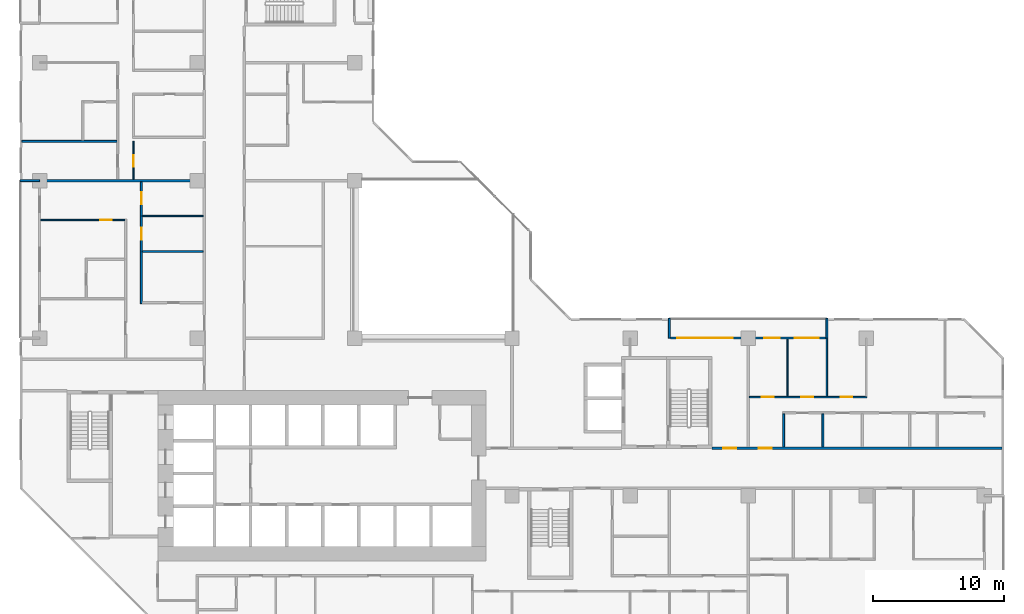
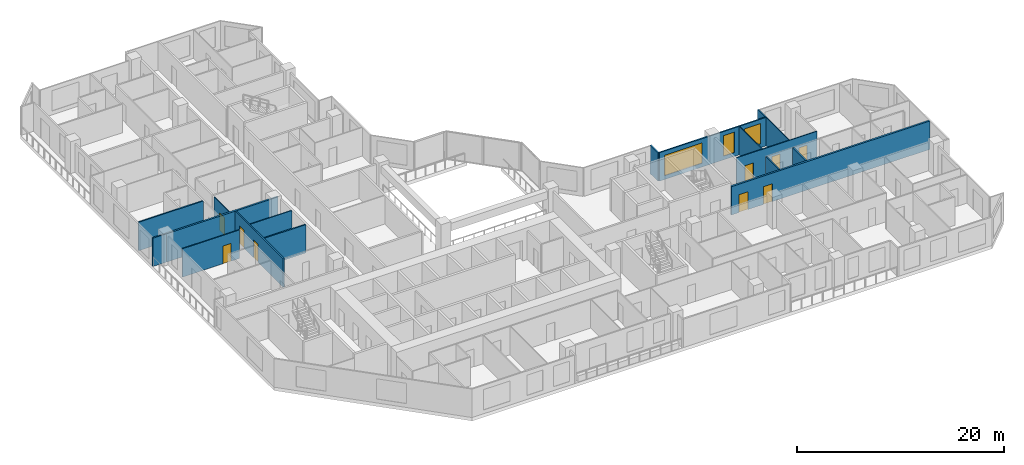
# One storey, part 8 of 15: 17 walls, 9 doors, 3 windows, 12 openings.
"""IFC4 building model written with IfcOpenShell, lengths in metres."""

from ifc_helpers import new_model, si_unit, direction, frame, frame_2d, origin, place, context, subcontext, project, spatial, rectangle, extrude, material, layer, layer_set, type_object, element, fill, save


model = new_model("IFC4")

# Units and contexts
model_context = context("Model", 3, precision=1e-05, world=origin(), true_north=direction((0.0, 1.0)))
body_context = subcontext(model_context, "Body", "Model", "MODEL_VIEW")
ifc_project = project(units=[si_unit("LENGTHUNIT", "METRE"), si_unit("AREAUNIT", "SQUARE_METRE"), si_unit("VOLUMEUNIT", "CUBIC_METRE"), si_unit("PLANEANGLEUNIT", "RADIAN"), si_unit("MASSUNIT", "GRAM", prefix="KILO")], contexts=[model_context])

# Site, building, storey
site_placement = place(None, origin())
site = spatial("IfcSite", under=ifc_project, at=site_placement, CompositionType="ELEMENT")
building_placement = place(site_placement, origin())
building = spatial("IfcBuilding", under=site, at=building_placement, Name="Chenar Terraces", CompositionType="ELEMENT")
storey_placement = place(building_placement, frame((0.0, 0.0, 52.64990234375)))
storey = spatial("IfcBuildingStorey", under=building, at=storey_placement, Name="L10", CompositionType="ELEMENT", Elevation=52.64990234375)

# Wall, openings, doors
ifc_material_1 = material(Name="Gypsum board on steel studs with fire boards", Category="steel")
ifc_layer_1 = layer(ifc_material_1, 0.199951171875)
ifc_layer_set_1 = layer_set([ifc_layer_1], Name="Gypsum board on steel studs with fire boards")
wall_type_1 = type_object("IfcWallType", Name="Corridor wall 200", PredefinedType="PARTITIONING", material=ifc_layer_set_1)
wall_1_placement = place(storey_placement, frame((51.22509765625, 15.60009765625, 0.0), z_axis=(0.0, 0.0, 1.0), x_axis=(1.0, 0.0, 0.0)))
wall_1 = element("IfcWall", 1, at=wall_1_placement, inside=storey, type_object=wall_type_1, Name="Partition L10-081", PredefinedType="PARTITIONING", context=body_context, shape_type="SweptSolid", body=[
    extrude(rectangle(XDim=22.125, YDim=0.199951171875, at=frame_2d((11.0625, 0.0))), origin(), (0.0, 0.0, 1.0), 3.35009765625),
])
opening_1_placement = place(wall_1_placement, frame((3.574951171875, 0.0, 0.0)))
opening_1 = element("IfcOpeningElement", 2, at=opening_1_placement, cuts=wall_1, Name="Opening DL10-11", PredefinedType="OPENING", context=body_context, shape_type="SweptSolid", body=[
    extrude(rectangle(XDim=1.0, YDim=2.10009765625, at=frame_2d((0.5, 1.050048828125))), frame((0.0, 0.10986328125, 0.0), z_axis=(0.0, -1.0, 0.0), x_axis=(1.0, 0.0, 0.0)), (0.0, 0.0, 1.0), 0.219970703125),
])
opening_2_placement = place(wall_1_placement, frame((0.875, 0.0, 0.0)))
opening_2 = element("IfcOpeningElement", 3, at=opening_2_placement, cuts=wall_1, Name="Opening DL10-49", PredefinedType="OPENING", context=body_context, shape_type="SweptSolid", body=[
    extrude(rectangle(XDim=1.0, YDim=2.10009765625, at=frame_2d((0.5, 1.050048828125))), frame((0.0, 0.10986328125, 0.0), z_axis=(0.0, -1.0, 0.0), x_axis=(1.0, 0.0, 0.0)), (0.0, 0.0, 1.0), 0.219970703125),
])
ifc_material_2 = material(Name="Steel-framed fire-resisting door leaf", Category="steel")
door_type_1 = type_object("IfcDoorType", Name="Fire door FD30S 1000 x 2100", OperationType="SINGLE_SWING_LEFT", PredefinedType="DOOR", material=ifc_material_2)
door_1_placement = place(opening_1_placement, origin())
door_1 = element("IfcDoor", 4, at=door_1_placement, inside=storey, type_object=door_type_1, Name="Door DL10-11", OperationType="SINGLE_SWING_LEFT", OverallHeight=2.10009765625, OverallWidth=1.0, PredefinedType="DOOR", context=body_context, shape_type="SweptSolid", body=[
    extrude(rectangle(XDim=1.0, YDim=2.10009765625, at=frame_2d((0.5, 1.050048828125))), frame((0.0, 0.02490234375, 0.0), z_axis=(0.0, -1.0, 0.0), x_axis=(1.0, 0.0, 0.0)), (0.0, 0.0, 1.0), 0.050048828125),
])
fill(opening_1, door_1)
door_2_placement = place(opening_2_placement, origin())
door_2 = element("IfcDoor", 5, at=door_2_placement, inside=storey, type_object=door_type_1, Name="Door DL10-49", OperationType="SINGLE_SWING_RIGHT", OverallHeight=2.10009765625, OverallWidth=1.0, PredefinedType="DOOR", context=body_context, shape_type="SweptSolid", body=[
    extrude(rectangle(XDim=1.0, YDim=2.10009765625, at=frame_2d((0.5, 1.050048828125))), frame((0.0, 0.02490234375, 0.0), z_axis=(0.0, -1.0, 0.0), x_axis=(1.0, 0.0, 0.0)), (0.0, 0.0, 1.0), 0.050048828125),
])
fill(opening_2, door_2)

# Wall, openings, windows
ifc_material_3 = material(Name="Aluminium framed glazing", Category="aluminium")
ifc_layer_2 = layer(ifc_material_3, 0.14990234375)
ifc_layer_set_2 = layer_set([ifc_layer_2], Name="Aluminium framed glazing")
wall_type_2 = type_object("IfcWallType", Name="Glazed loggia back wall 150", PredefinedType="SOLIDWALL", material=ifc_layer_set_2)
wall_2_placement = place(storey_placement, frame((59.925048828125, 24.0, 0.0), z_axis=(0.0, 0.0, 1.0), x_axis=(-1.0, 0.0, 0.0)))
wall_2 = element("IfcWall", 6, at=wall_2_placement, inside=storey, type_object=wall_type_2, Name="Glazed loggia back wall", PredefinedType="SOLIDWALL", context=body_context, shape_type="SweptSolid", body=[
    extrude(rectangle(XDim=11.85009765625, YDim=0.14990234375, at=frame_2d((5.925048828125, 0.0))), origin(), (0.0, 0.0, 1.0), 3.35009765625),
])
opening_3_placement = place(wall_2_placement, frame((0.5625, 0.0, 0.449951171875)))
opening_3 = element("IfcOpeningElement", 7, at=opening_3_placement, cuts=wall_2, Name="Opening W180x240", PredefinedType="OPENING", context=body_context, shape_type="SweptSolid", body=[
    extrude(rectangle(XDim=1.800048828125, YDim=2.39990234375, at=frame_2d((0.89990234375, 1.199951171875))), frame((0.0, 0.0849609375, 0.0), z_axis=(0.0, -1.0, 0.0), x_axis=(1.0, 0.0, 0.0)), (0.0, 0.0, 1.0), 0.169921875),
])
opening_4_placement = place(wall_2_placement, frame((3.5, 0.0, 0.449951171875)))
opening_4 = element("IfcOpeningElement", 8, at=opening_4_placement, cuts=wall_2, Name="Opening W120x240", PredefinedType="OPENING", context=body_context, shape_type="SweptSolid", body=[
    extrude(rectangle(XDim=1.199951171875, YDim=2.39990234375, at=frame_2d((0.60009765625, 1.199951171875))), frame((0.0, 0.0849609375, 0.0), z_axis=(0.0, -1.0, 0.0), x_axis=(1.0, 0.0, 0.0)), (0.0, 0.0, 1.0), 0.169921875),
])
opening_5_placement = place(wall_2_placement, frame((7.112548828125, 0.0, 0.449951171875)))
opening_5 = element("IfcOpeningElement", 9, at=opening_5_placement, cuts=wall_2, Name="Opening W420x240", PredefinedType="OPENING", context=body_context, shape_type="SweptSolid", body=[
    extrude(rectangle(XDim=4.199951171875, YDim=2.39990234375, at=frame_2d((2.10009765625, 1.199951171875))), frame((0.0, 0.0849609375, 0.0), z_axis=(0.0, -1.0, 0.0), x_axis=(1.0, 0.0, 0.0)), (0.0, 0.0, 1.0), 0.169921875),
])
ifc_material_4 = material(Name="Low emissivity double glazing, aluminium frame", Category="aluminium")
window_type_1 = type_object("IfcWindowType", Name="Fixed light 1200 x 2400", PartitioningType="SINGLE_PANEL", PredefinedType="WINDOW", material=ifc_material_4)
window_1_placement = place(opening_4_placement, origin())
window_1 = element("IfcWindow", 10, at=window_1_placement, inside=storey, type_object=window_type_1, Name="Window", OverallHeight=2.39990234375, OverallWidth=1.199951171875, PartitioningType="SINGLE_PANEL", PredefinedType="WINDOW", context=body_context, shape_type="SweptSolid", body=[
    extrude(rectangle(XDim=1.199951171875, YDim=2.39990234375, at=frame_2d((0.60009765625, 1.199951171875))), frame((0.0, 0.030029296875, 0.0), z_axis=(0.0, -1.0, 0.0), x_axis=(1.0, 0.0, 0.0)), (0.0, 0.0, 1.0), 0.06005859375),
])
fill(opening_4, window_1)
ifc_material_5 = material(Name="Low emissivity double glazing, aluminium frame", Category="aluminium")
window_type_2 = type_object("IfcWindowType", Name="Fixed light 1800 x 2400", PartitioningType="SINGLE_PANEL", PredefinedType="WINDOW", material=ifc_material_5)
window_2_placement = place(opening_3_placement, origin())
window_2 = element("IfcWindow", 11, at=window_2_placement, inside=storey, type_object=window_type_2, Name="Window", OverallHeight=2.39990234375, OverallWidth=1.800048828125, PartitioningType="SINGLE_PANEL", PredefinedType="WINDOW", context=body_context, shape_type="SweptSolid", body=[
    extrude(rectangle(XDim=1.800048828125, YDim=2.39990234375, at=frame_2d((0.89990234375, 1.199951171875))), frame((0.0, 0.030029296875, 0.0), z_axis=(0.0, -1.0, 0.0), x_axis=(1.0, 0.0, 0.0)), (0.0, 0.0, 1.0), 0.06005859375),
])
fill(opening_3, window_2)
ifc_material_6 = material(Name="Low emissivity double glazing, aluminium frame", Category="aluminium")
window_type_3 = type_object("IfcWindowType", Name="Fixed light 4200 x 2400", PartitioningType="SINGLE_PANEL", PredefinedType="WINDOW", material=ifc_material_6)
window_3_placement = place(opening_5_placement, origin())
window_3 = element("IfcWindow", 12, at=window_3_placement, inside=storey, type_object=window_type_3, Name="Window", OverallHeight=2.39990234375, OverallWidth=4.199951171875, PartitioningType="SINGLE_PANEL", PredefinedType="WINDOW", context=body_context, shape_type="SweptSolid", body=[
    extrude(rectangle(XDim=4.199951171875, YDim=2.39990234375, at=frame_2d((2.10009765625, 1.199951171875))), frame((0.0, 0.030029296875, 0.0), z_axis=(0.0, -1.0, 0.0), x_axis=(1.0, 0.0, 0.0)), (0.0, 0.0, 1.0), 0.06005859375),
])
fill(opening_5, window_3)

# Wall, opening, door
ifc_material_7 = material(Name="Gypsum board on steel studs", Category="steel")
ifc_layer_3 = layer(ifc_material_7, 0.10009765625)
ifc_layer_set_3 = layer_set([ifc_layer_3], Name="Gypsum board on steel studs")
wall_type_3 = type_object("IfcWallType", Name="Gypsum partition 100", PredefinedType="PARTITIONING", material=ifc_layer_set_3)
wall_3_placement = place(storey_placement, frame((0.073974609375, 33.0, 0.0), z_axis=(0.0, 0.0, 1.0), x_axis=(1.0, 0.0, 0.0)))
wall_3 = element("IfcWall", 13, at=wall_3_placement, inside=storey, type_object=wall_type_3, Name="Partition L10-008", PredefinedType="PARTITIONING", context=body_context, shape_type="SweptSolid", body=[
    extrude(rectangle(XDim=6.401123046875, YDim=0.10009765625, at=frame_2d((3.20068359375, 0.0))), origin(), (0.0, 0.0, 1.0), 3.35009765625),
])
opening_6_placement = place(wall_3_placement, frame((4.52587890625, 0.0, 0.0)))
opening_6 = element("IfcOpeningElement", 14, at=opening_6_placement, cuts=wall_3, Name="Opening DL10-69", PredefinedType="OPENING", context=body_context, shape_type="SweptSolid", body=[
    extrude(rectangle(XDim=0.89990234375, YDim=2.10009765625, at=frame_2d((0.449951171875, 1.050048828125))), frame((0.0, 0.06005859375, 0.0), z_axis=(0.0, -1.0, 0.0), x_axis=(1.0, 0.0, 0.0)), (0.0, 0.0, 1.0), 0.1201171875),
])
ifc_material_8 = material(Name="Veneered timber door leaf", Category="wood")
door_type_2 = type_object("IfcDoorType", Name="Door 900 x 2100", OperationType="SINGLE_SWING_LEFT", PredefinedType="DOOR", material=ifc_material_8)
door_3_placement = place(opening_6_placement, frame((0.89990234375, 0.0, 0.0), z_axis=(0.0, 0.0, 1.0), x_axis=(-1.0, 0.0, 0.0)))
door_3 = element("IfcDoor", 15, at=door_3_placement, inside=storey, type_object=door_type_2, Name="Door DL10-69", OperationType="SINGLE_SWING_LEFT", OverallHeight=2.10009765625, OverallWidth=0.89990234375, PredefinedType="DOOR", context=body_context, shape_type="SweptSolid", body=[
    extrude(rectangle(XDim=0.89990234375, YDim=2.10009765625, at=frame_2d((0.449951171875, 1.050048828125))), frame((0.0, 0.02490234375, 0.0), z_axis=(0.0, -1.0, 0.0), x_axis=(1.0, 0.0, 0.0)), (0.0, 0.0, 1.0), 0.050048828125),
])
fill(opening_6, door_3)

wall_4_placement = place(storey_placement, frame((7.14990234375, 36.10009765625, 0.0), z_axis=(0.0, 0.0, 1.0), x_axis=(0.0, 1.0, 0.0)))
wall_4 = element("IfcWall", 16, at=wall_4_placement, inside=storey, type_object=wall_type_3, Name="Partition L10-023", PredefinedType="PARTITIONING", context=body_context, shape_type="SweptSolid", body=[
    extrude(rectangle(XDim=2.89990234375, YDim=0.10009765625, at=frame_2d((1.449951171875, 0.0))), origin(), (0.0, 0.0, 1.0), 3.35009765625),
])
opening_7_placement = place(wall_4_placement, frame((0.949951171875, 0.0, 0.0)))
opening_7 = element("IfcOpeningElement", 17, at=opening_7_placement, cuts=wall_4, Name="Opening DL10-40", PredefinedType="OPENING", context=body_context, shape_type="SweptSolid", body=[
    extrude(rectangle(XDim=0.89990234375, YDim=2.10009765625, at=frame_2d((0.449951171875, 1.050048828125))), frame((0.0, 0.06005859375, 0.0), z_axis=(0.0, -1.0, 0.0), x_axis=(1.0, 0.0, 0.0)), (0.0, 0.0, 1.0), 0.1201171875),
])
door_4_placement = place(opening_7_placement, frame((0.89990234375, 0.0, 0.0), z_axis=(0.0, 0.0, 1.0), x_axis=(-1.0, 0.0, 0.0)))
door_4 = element("IfcDoor", 18, at=door_4_placement, inside=storey, type_object=door_type_2, Name="Door DL10-40", OperationType="SINGLE_SWING_RIGHT", OverallHeight=2.10009765625, OverallWidth=0.89990234375, PredefinedType="DOOR", context=body_context, shape_type="SweptSolid", body=[
    extrude(rectangle(XDim=0.89990234375, YDim=2.10009765625, at=frame_2d((0.449951171875, 1.050048828125))), frame((0.0, 0.02490234375, 0.0), z_axis=(0.0, -1.0, 0.0), x_axis=(1.0, 0.0, 0.0)), (0.0, 0.0, 1.0), 0.050048828125),
])
fill(opening_7, door_4)

# Wall
wall_5_placement = place(storey_placement, frame((7.824951171875, 33.300048828125, 0.0), z_axis=(0.0, 0.0, 1.0), x_axis=(1.0, 0.0, 0.0)))
element("IfcWall", 19, at=wall_5_placement, inside=storey, type_object=wall_type_3, Name="Partition L10-032", PredefinedType="PARTITIONING", context=body_context, shape_type="SweptSolid", body=[
    extrude(rectangle(XDim=4.625, YDim=0.10009765625, at=frame_2d((2.3125, 0.0))), origin(), (0.0, 0.0, 1.0), 3.35009765625),
])

# Wall, openings, doors
wall_6_placement = place(storey_placement, frame((54.10009765625, 19.5, 0.0), z_axis=(0.0, 0.0, 1.0), x_axis=(1.0, 0.0, 0.0)))
wall_6 = element("IfcWall", 20, at=wall_6_placement, inside=storey, type_object=wall_type_3, Name="Partition L10-087", PredefinedType="PARTITIONING", context=body_context, shape_type="SweptSolid", body=[
    extrude(rectangle(XDim=8.949951171875, YDim=0.10009765625, at=frame_2d((4.47509765625, 0.0))), origin(), (0.0, 0.0, 1.0), 3.35009765625),
])
opening_8_placement = place(wall_6_placement, frame((0.949951171875, 0.0, 0.0)))
opening_8 = element("IfcOpeningElement", 21, at=opening_8_placement, cuts=wall_6, Name="Opening DL10-5", PredefinedType="OPENING", context=body_context, shape_type="SweptSolid", body=[
    extrude(rectangle(XDim=0.89990234375, YDim=2.10009765625, at=frame_2d((0.449951171875, 1.050048828125))), frame((0.0, 0.06005859375, 0.0), z_axis=(0.0, -1.0, 0.0), x_axis=(1.0, 0.0, 0.0)), (0.0, 0.0, 1.0), 0.1201171875),
])
opening_9_placement = place(wall_6_placement, frame((3.949951171875, 0.0, 0.0)))
opening_9 = element("IfcOpeningElement", 22, at=opening_9_placement, cuts=wall_6, Name="Opening DL10-6", PredefinedType="OPENING", context=body_context, shape_type="SweptSolid", body=[
    extrude(rectangle(XDim=0.89990234375, YDim=2.10009765625, at=frame_2d((0.449951171875, 1.050048828125))), frame((0.0, 0.06005859375, 0.0), z_axis=(0.0, -1.0, 0.0), x_axis=(1.0, 0.0, 0.0)), (0.0, 0.0, 1.0), 0.1201171875),
])
opening_10_placement = place(wall_6_placement, frame((6.949951171875, 0.0, 0.0)))
opening_10 = element("IfcOpeningElement", 23, at=opening_10_placement, cuts=wall_6, Name="Opening DL10-7", PredefinedType="OPENING", context=body_context, shape_type="SweptSolid", body=[
    extrude(rectangle(XDim=0.89990234375, YDim=2.10009765625, at=frame_2d((0.449951171875, 1.050048828125))), frame((0.0, 0.06005859375, 0.0), z_axis=(0.0, -1.0, 0.0), x_axis=(1.0, 0.0, 0.0)), (0.0, 0.0, 1.0), 0.1201171875),
])
door_5_placement = place(opening_8_placement, origin())
door_5 = element("IfcDoor", 24, at=door_5_placement, inside=storey, type_object=door_type_2, Name="Door DL10-5", OperationType="SINGLE_SWING_RIGHT", OverallHeight=2.10009765625, OverallWidth=0.89990234375, PredefinedType="DOOR", context=body_context, shape_type="SweptSolid", body=[
    extrude(rectangle(XDim=0.89990234375, YDim=2.10009765625, at=frame_2d((0.449951171875, 1.050048828125))), frame((0.0, 0.02490234375, 0.0), z_axis=(0.0, -1.0, 0.0), x_axis=(1.0, 0.0, 0.0)), (0.0, 0.0, 1.0), 0.050048828125),
])
fill(opening_8, door_5)
door_6_placement = place(opening_9_placement, origin())
door_6 = element("IfcDoor", 25, at=door_6_placement, inside=storey, type_object=door_type_2, Name="Door DL10-6", OperationType="SINGLE_SWING_RIGHT", OverallHeight=2.10009765625, OverallWidth=0.89990234375, PredefinedType="DOOR", context=body_context, shape_type="SweptSolid", body=[
    extrude(rectangle(XDim=0.89990234375, YDim=2.10009765625, at=frame_2d((0.449951171875, 1.050048828125))), frame((0.0, 0.02490234375, 0.0), z_axis=(0.0, -1.0, 0.0), x_axis=(1.0, 0.0, 0.0)), (0.0, 0.0, 1.0), 0.050048828125),
])
fill(opening_9, door_6)
door_7_placement = place(opening_10_placement, origin())
door_7 = element("IfcDoor", 26, at=door_7_placement, inside=storey, type_object=door_type_2, Name="Door DL10-7", OperationType="SINGLE_SWING_RIGHT", OverallHeight=2.10009765625, OverallWidth=0.89990234375, PredefinedType="DOOR", context=body_context, shape_type="SweptSolid", body=[
    extrude(rectangle(XDim=0.89990234375, YDim=2.10009765625, at=frame_2d((0.449951171875, 1.050048828125))), frame((0.0, 0.02490234375, 0.0), z_axis=(0.0, -1.0, 0.0), x_axis=(1.0, 0.0, 0.0)), (0.0, 0.0, 1.0), 0.050048828125),
])
fill(opening_10, door_7)

# Walls
wall_7_placement = place(storey_placement, frame((57.0, 19.550048828125, 0.0), z_axis=(0.0, 0.0, 1.0), x_axis=(0.0, 1.0, 0.0)))
element("IfcWall", 27, at=wall_7_placement, inside=storey, type_object=wall_type_3, Name="Partition L10-091", PredefinedType="PARTITIONING", context=body_context, shape_type="SweptSolid", body=[
    extrude(rectangle(XDim=4.3759765625, YDim=0.10009765625, at=frame_2d((2.18798828125, 0.0))), origin(), (0.0, 0.0, 1.0), 3.35009765625),
])
wall_8_placement = place(storey_placement, frame((60.0, 19.550048828125, 0.0), z_axis=(0.0, 0.0, 1.0), x_axis=(0.0, 1.0, 0.0)))
element("IfcWall", 28, at=wall_8_placement, inside=storey, type_object=wall_type_3, Name="Partition L10-094", PredefinedType="PARTITIONING", context=body_context, shape_type="SweptSolid", body=[
    extrude(rectangle(XDim=4.449951171875, YDim=0.10009765625, at=frame_2d((2.22509765625, 0.0))), origin(), (0.0, 0.0, 1.0), 3.35009765625),
])
ifc_material_9 = material(Name="Terracotta cladding on insulated backing", Category="masonry")
ifc_layer_4 = layer(ifc_material_9, 0.14990234375)
ifc_layer_set_4 = layer_set([ifc_layer_4], Name="Terracotta cladding on insulated backing")
wall_type_4 = type_object("IfcWallType", Name="Loggia return wall 150", PredefinedType="SOLIDWALL", material=ifc_layer_set_4)
for number, where, z_axis, x_axis, name in (
    (29, (60.0, 25.5, 0.0), (0.0, 0.0, 1.0), (0.0, -1.0, 0.0), "Loggia return wall"),
    (30, (48.0, 25.5, 0.0), (0.0, 0.0, 1.0), (0.0, -1.0, 0.0), "Loggia return wall"),
    (31, (-1.5, 36.0, 0.0), (0.0, 0.0, 1.0), (1.0, 0.0, 0.0), "Loggia return wall"),
):
    element("IfcWall", number, at=place(storey_placement, frame(where, z_axis=z_axis, x_axis=x_axis)), inside=storey, type_object=wall_type_4, Name=name, PredefinedType="SOLIDWALL", context=body_context, shape_type="SweptSolid", body=[
        extrude(rectangle(XDim=1.5, YDim=0.14990234375, at=frame_2d((0.75, 0.0))), origin(), (0.0, 0.0, 1.0), 3.35009765625),
    ])
ifc_material_10 = material(Name="Twin gypsum board on steel studs with mineral wool", Category="steel")
ifc_layer_5 = layer(ifc_material_10, 0.199951171875)
ifc_layer_set_5 = layer_set([ifc_layer_5], Name="Twin gypsum board on steel studs with mineral wool")
wall_type_5 = type_object("IfcWallType", Name="Unit demising wall 200", PredefinedType="PARTITIONING", material=ifc_layer_set_5)
wall_9_placement = place(storey_placement, frame((0.0, 36.0, 0.0), z_axis=(0.0, 0.0, 1.0), x_axis=(1.0, 0.0, 0.0)))
element("IfcWall", 32, at=wall_9_placement, inside=storey, type_object=wall_type_5, Name="Partition L10-004", PredefinedType="PARTITIONING", context=body_context, shape_type="SweptSolid", body=[
    extrude(rectangle(XDim=12.449951171875, YDim=0.199951171875, at=frame_2d((6.22509765625, 0.0))), origin(), (0.0, 0.0, 1.0), 3.35009765625),
])
ifc_material_11 = material(Name="Moisture-resistant gypsum board on steel studs", Category="steel")
ifc_layer_6 = layer(ifc_material_11, 0.14990234375)
ifc_layer_set_6 = layer_set([ifc_layer_6], Name="Moisture-resistant gypsum board on steel studs")
wall_type_6 = type_object("IfcWallType", Name="Wet-room partition 150", PredefinedType="PARTITIONING", material=ifc_layer_set_6)
wall_10_placement = place(storey_placement, frame((-1.35107421875, 39.0, 0.0), z_axis=(0.0, 0.0, 1.0), x_axis=(1.0, 0.0, 0.0)))
element("IfcWall", 33, at=wall_10_placement, inside=storey, type_object=wall_type_6, Name="Partition L10-001", PredefinedType="PARTITIONING", context=body_context, shape_type="SweptSolid", body=[
    extrude(rectangle(XDim=7.22607421875, YDim=0.14990234375, at=frame_2d((3.613037109375, 0.0))), origin(), (0.0, 0.0, 1.0), 3.35009765625),
])

# Wall, openings, doors
wall_11_placement = place(storey_placement, frame((7.75, 26.625, 0.0), z_axis=(0.0, 0.0, 1.0), x_axis=(0.0, 1.0, 0.0)))
wall_11 = element("IfcWall", 34, at=wall_11_placement, inside=storey, type_object=wall_type_6, Name="Partition L10-029", PredefinedType="PARTITIONING", context=body_context, shape_type="SweptSolid", body=[
    extrude(rectangle(XDim=9.27490234375, YDim=0.14990234375, at=frame_2d((4.637451171875, 0.0))), origin(), (0.0, 0.0, 1.0), 3.35009765625),
])
opening_11_placement = place(wall_11_placement, frame((4.875, 0.0, 0.0)))
opening_11 = element("IfcOpeningElement", 35, at=opening_11_placement, cuts=wall_11, Name="Opening DL10-71", PredefinedType="OPENING", context=body_context, shape_type="SweptSolid", body=[
    extrude(rectangle(XDim=0.89990234375, YDim=2.10009765625, at=frame_2d((0.449951171875, 1.050048828125))), frame((0.0, 0.0849609375, 0.0), z_axis=(0.0, -1.0, 0.0), x_axis=(1.0, 0.0, 0.0)), (0.0, 0.0, 1.0), 0.169921875),
])
opening_12_placement = place(wall_11_placement, frame((7.574951171875, 0.0, 0.0)))
opening_12 = element("IfcOpeningElement", 36, at=opening_12_placement, cuts=wall_11, Name="Opening DL10-73", PredefinedType="OPENING", context=body_context, shape_type="SweptSolid", body=[
    extrude(rectangle(XDim=0.89990234375, YDim=2.10009765625, at=frame_2d((0.449951171875, 1.050048828125))), frame((0.0, 0.0849609375, 0.0), z_axis=(0.0, -1.0, 0.0), x_axis=(1.0, 0.0, 0.0)), (0.0, 0.0, 1.0), 0.169921875),
])
door_8_placement = place(opening_11_placement, frame((0.89990234375, 0.0, 0.0), z_axis=(0.0, 0.0, 1.0), x_axis=(-1.0, 0.0, 0.0)))
door_8 = element("IfcDoor", 37, at=door_8_placement, inside=storey, type_object=door_type_2, Name="Door DL10-71", OperationType="SINGLE_SWING_RIGHT", OverallHeight=2.10009765625, OverallWidth=0.89990234375, PredefinedType="DOOR", context=body_context, shape_type="SweptSolid", body=[
    extrude(rectangle(XDim=0.89990234375, YDim=2.10009765625, at=frame_2d((0.449951171875, 1.050048828125))), frame((0.0, 0.02490234375, 0.0), z_axis=(0.0, -1.0, 0.0), x_axis=(1.0, 0.0, 0.0)), (0.0, 0.0, 1.0), 0.050048828125),
])
fill(opening_11, door_8)
door_9_placement = place(opening_12_placement, frame((0.89990234375, 0.0, 0.0), z_axis=(0.0, 0.0, 1.0), x_axis=(-1.0, 0.0, 0.0)))
door_9 = element("IfcDoor", 38, at=door_9_placement, inside=storey, type_object=door_type_2, Name="Door DL10-73", OperationType="SINGLE_SWING_LEFT", OverallHeight=2.10009765625, OverallWidth=0.89990234375, PredefinedType="DOOR", context=body_context, shape_type="SweptSolid", body=[
    extrude(rectangle(XDim=0.89990234375, YDim=2.10009765625, at=frame_2d((0.449951171875, 1.050048828125))), frame((0.0, 0.02490234375, 0.0), z_axis=(0.0, -1.0, 0.0), x_axis=(1.0, 0.0, 0.0)), (0.0, 0.0, 1.0), 0.050048828125),
])
fill(opening_12, door_9)

# Walls
wall_12_placement = place(storey_placement, frame((7.824951171875, 30.60009765625, 0.0), z_axis=(0.0, 0.0, 1.0), x_axis=(1.0, 0.0, 0.0)))
element("IfcWall", 39, at=wall_12_placement, inside=storey, type_object=wall_type_6, Name="Partition L10-031", PredefinedType="PARTITIONING", context=body_context, shape_type="SweptSolid", body=[
    extrude(rectangle(XDim=4.625, YDim=0.14990234375, at=frame_2d((2.3125, 0.0))), origin(), (0.0, 0.0, 1.0), 3.35009765625),
])
for number, where, z_axis, x_axis, name in (
    (40, (56.699951171875, 15.699951171875, 0.0), (0.0, 0.0, 1.0), (0.0, 1.0, 0.0), "Partition L10-089"),
    (41, (59.699951171875, 15.699951171875, 0.0), (0.0, 0.0, 1.0), (0.0, 1.0, 0.0), "Partition L10-093"),
):
    element("IfcWall", number, at=place(storey_placement, frame(where, z_axis=z_axis, x_axis=x_axis)), inside=storey, type_object=wall_type_6, Name=name, PredefinedType="PARTITIONING", context=body_context, shape_type="SweptSolid", body=[
        extrude(rectangle(XDim=2.525146484375, YDim=0.14990234375, at=frame_2d((1.2626953125, 0.0))), origin(), (0.0, 0.0, 1.0), 3.35009765625),
    ])

save(model, "model.ifc")
